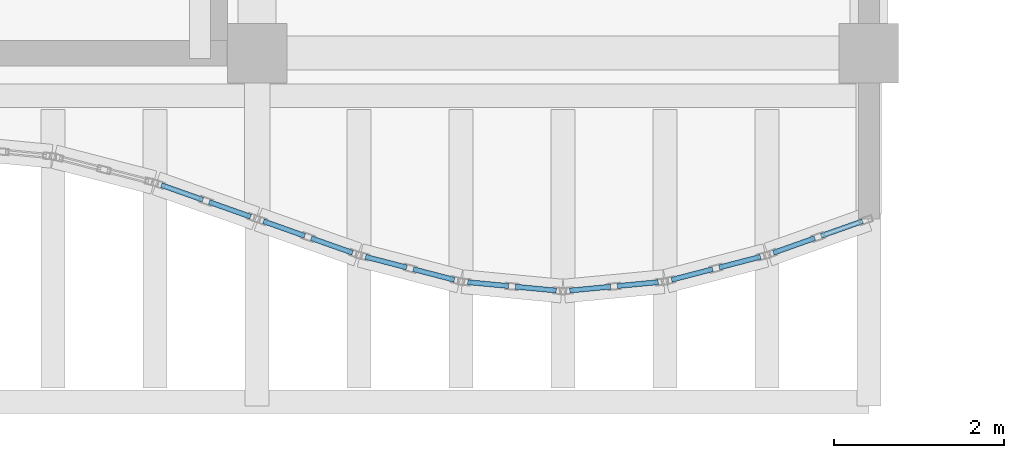
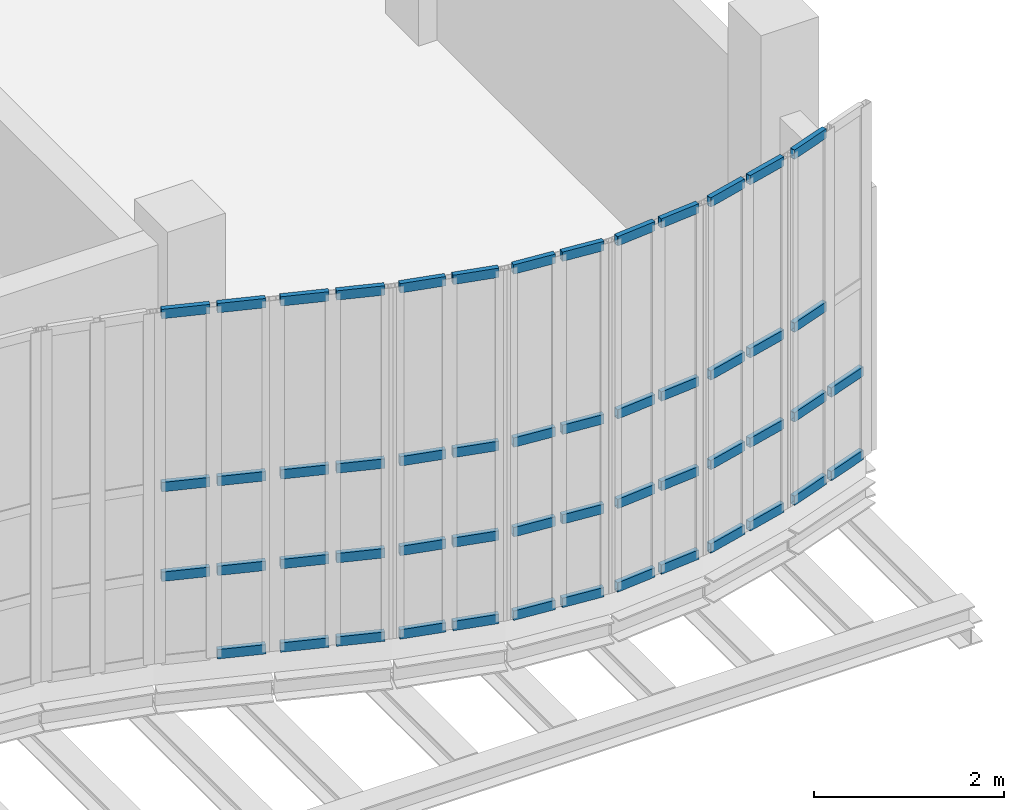
# One storey, part 63 of 108: 53 members, 7 elements without a shape of their own.
"""IFC4 building model written with IfcOpenShell, lengths in metres."""

import ifcopenshell
import ifcopenshell.guid

model = None  # the IFC model being written
_history = None  # IfcOwnerHistory: only IFC2X3 demands one
_inside = {}  # id of a spatial element -> (the spatial element, [elements in it])
_under = {}  # id of a project, library or spatial element -> (it, [spatial elements below it])
_declared = {}  # id of a project -> (the project, [libraries it declares])
_typed = {}  # id of a type object -> (the type object, [elements of that type])
_made_of = {}  # id of a material, layer set ... -> (it, [elements and type objects made of it])


def new_model(schema):
    """Start an empty IFC model of exactly this schema.

    Asked for "IFC4X3", IfcOpenShell would pick the latest addendum, in which some entities
    have other attributes; the version numbers below select the first issue.
    IFC2X3 requires an IfcOwnerHistory on every rooted entity: one is made here for all.
    """
    global model, _history
    if schema == "IFC4X3":
        model = ifcopenshell.file(schema_version=(4, 3, 0, 0))
    else:
        model = ifcopenshell.file(schema=schema)
    _inside.clear()
    _under.clear()
    _declared.clear()
    _typed.clear()
    _made_of.clear()
    _history = None
    if model.schema == "IFC2X3":
        org = make("IfcOrganization", Name="unknown")
        user = make(
            "IfcPersonAndOrganization",
            ThePerson=make("IfcPerson", FamilyName="unknown"),
            TheOrganization=org,
        )
        app = make(
            "IfcApplication",
            ApplicationDeveloper=org,
            Version="unknown",
            ApplicationFullName="unknown",
            ApplicationIdentifier="unknown",
        )
        _history = make(
            "IfcOwnerHistory",
            OwningUser=user,
            OwningApplication=app,
            ChangeAction="ADDED",
            CreationDate=0,
        )
    return model


def make(cls, **values):
    """One entity of the class cls with the attributes given. An attribute that is None is left unset."""
    return model.create_entity(
        cls, **{name: value for name, value in values.items() if value is not None}
    )


def rooted(cls, **values):
    """An entity with a GlobalId (a new one), such as an element, a storey or a relation."""
    return make(cls, GlobalId=ifcopenshell.guid.new(), OwnerHistory=_history, **values)


def si_unit(unit_type, name, prefix=None):
    """IfcSIUnit, for example si_unit("LENGTHUNIT", "METRE", prefix="MILLI")."""
    return make("IfcSIUnit", UnitType=unit_type, Prefix=prefix, Name=name)


def assignment(units):
    """IfcUnitAssignment: the units of a project."""
    return None if units is None else make("IfcUnitAssignment", Units=units)


def point(xyz):
    """IfcCartesianPoint."""
    return None if xyz is None else make("IfcCartesianPoint", Coordinates=xyz)


def direction(xyz):
    """IfcDirection."""
    return None if xyz is None else make("IfcDirection", DirectionRatios=xyz)


def frame(location, z_axis=None, x_axis=None):
    """IfcAxis2Placement3D, a coordinate frame: its origin and axes. An axis left out is left unset."""
    return make(
        "IfcAxis2Placement3D",
        Location=point(location),
        Axis=direction(z_axis),
        RefDirection=direction(x_axis),
    )


def frame_2d(location, x_axis=None):
    """IfcAxis2Placement2D, a coordinate frame in the plane: its origin and x axis."""
    return make(
        "IfcAxis2Placement2D", Location=point(location), RefDirection=direction(x_axis)
    )


def origin():
    """The frame at (0, 0, 0) with its axes left unset."""
    return frame((0.0, 0.0, 0.0))


def origin_2d():
    """The frame at (0, 0) in the plane with its x axis left unset."""
    return frame_2d((0.0, 0.0))


def place(relative_to, where):
    """IfcLocalPlacement: puts the frame where relative to a parent placement (None: the world)."""
    return make(
        "IfcLocalPlacement", PlacementRelTo=relative_to, RelativePlacement=where
    )


def context(
    kind, dimensions, precision=None, world=None, true_north=None, identifier=None
):
    """IfcGeometricRepresentationContext, for example the 3D "Model" context."""
    return make(
        "IfcGeometricRepresentationContext",
        ContextIdentifier=identifier,
        ContextType=kind,
        CoordinateSpaceDimension=dimensions,
        Precision=precision,
        WorldCoordinateSystem=world,
        TrueNorth=true_north,
    )


def subcontext(parent, identifier, kind, view, scale=None):
    """IfcGeometricRepresentationSubContext, for example "Body" below "Model"."""
    return make(
        "IfcGeometricRepresentationSubContext",
        ContextIdentifier=identifier,
        ContextType=kind,
        ParentContext=parent,
        TargetScale=scale,
        TargetView=view,
    )


def project(units=None, contexts=None):
    """IfcProject with its units and contexts."""
    return rooted(
        "IfcProject",
        Name="project",
        RepresentationContexts=contexts,
        UnitsInContext=assignment(units),
    )


def spatial(cls, under=None, at=None, **own):
    """A site, building, storey or space (cls), placed at a placement, below another one or the project."""
    s = rooted(cls, ObjectPlacement=at, **own)
    if under is not None:
        _under.setdefault(under.id(), (under, []))[1].append(s)
    return s


def profile(cls, at=None, kind="AREA", **sizes):
    """A parametric profile (cls). Its sizes go by their IFC names, for example OverallWidth=200.0."""
    return make(cls, ProfileType=kind, Position=at, **sizes)


def hollow_rectangle(**sizes):
    """IfcRectangleHollowProfileDef."""
    return profile("IfcRectangleHollowProfileDef", **sizes)


def extrude(swept, where, along, depth):
    """IfcExtrudedAreaSolid: the profile swept, set in the frame where, extruded along a direction by depth."""
    return make(
        "IfcExtrudedAreaSolid",
        SweptArea=swept,
        Position=where,
        ExtrudedDirection=direction(along),
        Depth=depth,
    )


def shape(context_of_items, identifier, shape_type, items):
    """IfcShapeRepresentation: the items that make up one representation, for example the "Body"."""
    return make(
        "IfcShapeRepresentation",
        ContextOfItems=context_of_items,
        RepresentationIdentifier=identifier,
        RepresentationType=shape_type,
        Items=items,
    )


def material(Name=None, Category=None):
    """IfcMaterial."""
    return make("IfcMaterial", Name=Name, Category=Category)


def layer(
    of_material, thickness, ventilated=None, Name=None, Category=None, Priority=None
):
    """IfcMaterialLayer: one layer of a wall or slab, of a material (None: an air gap)."""
    return make(
        "IfcMaterialLayer",
        Material=of_material,
        LayerThickness=thickness,
        IsVentilated=ventilated,
        Name=Name,
        Category=Category,
        Priority=Priority,
    )


def layer_set(layers, Name=None):
    """IfcMaterialLayerSet."""
    return make("IfcMaterialLayerSet", MaterialLayers=layers, LayerSetName=Name)


def material_profile(
    of_material, cross_section, Name=None, Category=None, Priority=None
):
    """IfcMaterialProfile: a cross section and its material."""
    return make(
        "IfcMaterialProfile",
        Name=Name,
        Material=of_material,
        Profile=cross_section,
        Priority=Priority,
        Category=Category,
    )


def profile_set(profiles, Name=None, composite=None):
    """IfcMaterialProfileSet."""
    return make(
        "IfcMaterialProfileSet",
        Name=Name,
        MaterialProfiles=profiles,
        CompositeProfile=composite,
    )


def made_of(thing, what):
    """Note that an element or type object is made of a material, layer set ...; save() writes the relation."""
    if what is not None:
        _made_of.setdefault(what.id(), (what, []))[1].append(thing)
    return thing


def type_object(cls, material=None, **own):
    """A type object (cls), such as IfcWallType, which elements share."""
    return made_of(rooted(cls, **own), material)


def element(
    cls,
    number,
    at=None,
    inside=None,
    cuts=None,
    type_object=None,
    material=None,
    context=None,
    identifier="Body",
    shape_type=None,
    held_by="IfcProductDefinitionShape",
    body=None,
    shapes=None,
    **own,
):
    """One element of the class cls, such as IfcWall. Its Tag is "e" and its number.

    at: its placement. inside: the storey or other place that contains it. cuts: it is an
    opening in that element (IfcRelVoidsElement). A single representation is given by context,
    identifier, shape_type and body (its items); several are given by shapes. held_by: the class
    of the entity that holds the representations. save() writes the other relations.
    """
    e = rooted(cls, Tag="e%d" % number, ObjectPlacement=at, **own)
    if body is not None:
        shapes = [shape(context, identifier, shape_type, body)]
    if shapes is not None:
        e.Representation = make(held_by, Representations=shapes)
    if inside is not None:
        _inside.setdefault(inside.id(), (inside, []))[1].append(e)
    if cuts is not None:
        rooted(
            "IfcRelVoidsElement", RelatingBuildingElement=cuts, RelatedOpeningElement=e
        )
    if type_object is not None:
        _typed.setdefault(type_object.id(), (type_object, []))[1].append(e)
    return made_of(e, material)


def aggregate(whole, parts):
    """IfcRelAggregates: a whole, such as a stair, and the parts it consists of."""
    return rooted("IfcRelAggregates", RelatingObject=whole, RelatedObjects=parts)


def save(model, path):
    """Write the relations noted so far, then the file.

    IfcRelAggregates (storeys below a building ...), IfcRelContainedInSpatialStructure (elements
    in a storey), IfcRelDefinesByType, IfcRelAssociatesMaterial and IfcRelDeclares: one each for
    every whole, place, type object, material and project.
    """
    for whole, parts in _under.values():
        aggregate(whole, parts)
    for where, things in _inside.values():
        rooted(
            "IfcRelContainedInSpatialStructure",
            RelatedElements=things,
            RelatingStructure=where,
        )
    for kind, things in _typed.values():
        rooted("IfcRelDefinesByType", RelatedObjects=things, RelatingType=kind)
    for what, things in _made_of.values():
        rooted("IfcRelAssociatesMaterial", RelatedObjects=things, RelatingMaterial=what)
    for by, libraries in _declared.values():
        rooted("IfcRelDeclares", RelatingContext=by, RelatedDefinitions=libraries)
    model.write(path)


model = new_model("IFC4")

# Units and contexts
model_context = context("Model", 3, precision=1e-05, world=origin(), true_north=direction((0.0, 1.0)))
body_context = subcontext(model_context, "Body", "Model", "MODEL_VIEW")
ifc_project = project(units=[si_unit("LENGTHUNIT", "METRE"), si_unit("AREAUNIT", "SQUARE_METRE"), si_unit("VOLUMEUNIT", "CUBIC_METRE"), si_unit("PLANEANGLEUNIT", "RADIAN"), si_unit("MASSUNIT", "GRAM", prefix="KILO"), si_unit("THERMODYNAMICTEMPERATUREUNIT", "KELVIN"), si_unit("POWERUNIT", "WATT")], contexts=[model_context])

# Site, building, storey
site_placement = place(None, origin())
site = spatial("IfcSite", under=ifc_project, at=site_placement, CompositionType="ELEMENT")
building_placement = place(site_placement, origin())
building = spatial("IfcBuilding", under=site, at=building_placement, Name="Kaldorven Railside Theatre", CompositionType="ELEMENT")
storey_placement = place(building_placement, frame((0.0, 0.0, 5.39990234375)))
storey = spatial("IfcBuildingStorey", under=building, at=storey_placement, Name="L01", CompositionType="ELEMENT", Elevation=5.39990234375)

# Curtain wall, members
ifc_material_1 = material(Name="Low-E laminated solar-control glass", Category="glass")
ifc_layer_1 = layer(ifc_material_1, 0.159912109375, Name="Low-E laminated solar-control glass")
ifc_layer_set_1 = layer_set([ifc_layer_1], Name="Low-E laminated solar-control glass")
curtain_wall_type_1 = type_object("IfcCurtainWallType", Name="CWT-01", PredefinedType="USERDEFINED", material=ifc_layer_set_1)
curtain_wall_1_placement = place(storey_placement, origin())
curtain_wall_1 = element("IfcCurtainWall", 1, at=curtain_wall_1_placement, inside=storey, type_object=curtain_wall_type_1, Name="Sinusoidal Fluted Curtain Wall CW-L01-S66", ObjectType="FLUTED GLAZING", PredefinedType="USERDEFINED")
ifc_material_2 = material(Name="Anodised bronze aluminium", Category="aluminium")
ifc_material_profile = material_profile(ifc_material_2, hollow_rectangle(XDim=0.06005859375, YDim=0.1201171875, WallThickness=0.0048828125, at=origin_2d()), Name="RHS 120x60x5")
ifc_profile_set = profile_set([ifc_material_profile], Name="Anodised bronze aluminium")
member_type = type_object("IfcMemberType", Name="CWT-120", PredefinedType="USERDEFINED", material=ifc_profile_set)
member_1_placement = place(storey_placement, frame((114.87548828125, 17.648193359375, 1.10009765625), z_axis=(0.942658214948, -0.333759628763, 0.0), x_axis=(0.333759628763, 0.942658214948, 0.0)))
member_1 = element("IfcMember", 2, at=member_1_placement, type_object=member_type, Name="CW-L01-S66 transom 1.2", ObjectType="TRANSOM", PredefinedType="USERDEFINED", context=body_context, shape_type="SweptSolid", body=[
    extrude(hollow_rectangle(XDim=0.06005859375, YDim=0.1201171875, WallThickness=0.0048828125, at=origin_2d()), origin(), (0.0, 0.0, 1.0), 0.516357421875),
])
member_2_placement = place(storey_placement, frame((114.87548828125, 17.648193359375, 2.25), z_axis=(0.942658214948, -0.333759628763, 0.0), x_axis=(0.333759628763, 0.942658214948, 0.0)))
member_2 = element("IfcMember", 3, at=member_2_placement, type_object=member_type, Name="CW-L01-S66 transom 1.3", ObjectType="TRANSOM", PredefinedType="USERDEFINED", context=body_context, shape_type="SweptSolid", body=[
    extrude(hollow_rectangle(XDim=0.06005859375, YDim=0.1201171875, WallThickness=0.0048828125, at=origin_2d()), origin(), (0.0, 0.0, 1.0), 0.516357421875),
])
member_3_placement = place(storey_placement, frame((114.87548828125, 17.648193359375, 4.47021484375), z_axis=(0.942658214948, -0.333759628763, 0.0), x_axis=(0.333759628763, 0.942658214948, 0.0)))
member_3 = element("IfcMember", 4, at=member_3_placement, type_object=member_type, Name="CW-L01-S66 transom 1.4", ObjectType="TRANSOM", PredefinedType="USERDEFINED", context=body_context, shape_type="SweptSolid", body=[
    extrude(hollow_rectangle(XDim=0.06005859375, YDim=0.1201171875, WallThickness=0.0048828125, at=origin_2d()), origin(), (0.0, 0.0, 1.0), 0.516357421875),
])
member_4_placement = place(storey_placement, frame((115.437744140625, 17.44921875, 0.030029296875), z_axis=(0.942509408488, -0.334179614745, 0.0), x_axis=(0.334179614745, 0.942509408488, 0.0)))
member_4 = element("IfcMember", 5, at=member_4_placement, type_object=member_type, Name="CW-L01-S66 transom 2.1", ObjectType="TRANSOM", PredefinedType="USERDEFINED", context=body_context, shape_type="SweptSolid", body=[
    extrude(hollow_rectangle(XDim=0.06005859375, YDim=0.1201171875, WallThickness=0.0048828125, at=origin_2d()), origin(), (0.0, 0.0, 1.0), 0.5166015625),
])
member_5_placement = place(storey_placement, frame((115.437744140625, 17.44921875, 1.10009765625), z_axis=(0.942509408488, -0.334179614745, 0.0), x_axis=(0.334179614745, 0.942509408488, 0.0)))
member_5 = element("IfcMember", 6, at=member_5_placement, type_object=member_type, Name="CW-L01-S66 transom 2.2", ObjectType="TRANSOM", PredefinedType="USERDEFINED", context=body_context, shape_type="SweptSolid", body=[
    extrude(hollow_rectangle(XDim=0.06005859375, YDim=0.1201171875, WallThickness=0.0048828125, at=origin_2d()), origin(), (0.0, 0.0, 1.0), 0.5166015625),
])
member_6_placement = place(storey_placement, frame((115.437744140625, 17.44921875, 2.25), z_axis=(0.942509408488, -0.334179614745, 0.0), x_axis=(0.334179614745, 0.942509408488, 0.0)))
member_6 = element("IfcMember", 7, at=member_6_placement, type_object=member_type, Name="CW-L01-S66 transom 2.3", ObjectType="TRANSOM", PredefinedType="USERDEFINED", context=body_context, shape_type="SweptSolid", body=[
    extrude(hollow_rectangle(XDim=0.06005859375, YDim=0.1201171875, WallThickness=0.0048828125, at=origin_2d()), origin(), (0.0, 0.0, 1.0), 0.5166015625),
])
member_7_placement = place(storey_placement, frame((115.437744140625, 17.44921875, 4.47021484375), z_axis=(0.942509408488, -0.334179614745, 0.0), x_axis=(0.334179614745, 0.942509408488, 0.0)))
member_7 = element("IfcMember", 8, at=member_7_placement, type_object=member_type, Name="CW-L01-S66 transom 2.4", ObjectType="TRANSOM", PredefinedType="USERDEFINED", context=body_context, shape_type="SweptSolid", body=[
    extrude(hollow_rectangle(XDim=0.06005859375, YDim=0.1201171875, WallThickness=0.0048828125, at=origin_2d()), origin(), (0.0, 0.0, 1.0), 0.5166015625),
])
aggregate(curtain_wall_1, [member_1, member_2, member_3, member_4, member_5, member_6, member_7])

curtain_wall_2_placement = place(storey_placement, origin())
curtain_wall_2 = element("IfcCurtainWall", 9, at=curtain_wall_2_placement, inside=storey, type_object=curtain_wall_type_1, Name="Sinusoidal Fluted Curtain Wall CW-L01-S67", ObjectType="FLUTED GLAZING", PredefinedType="USERDEFINED")
member_8_placement = place(storey_placement, frame((116.075439453125, 17.223388671875, 0.030029296875), z_axis=(0.942509408488, -0.334179614745, 0.0), x_axis=(0.334179614745, 0.942509408488, 0.0)))
member_8 = element("IfcMember", 10, at=member_8_placement, type_object=member_type, Name="CW-L01-S67 transom 1.1", ObjectType="TRANSOM", PredefinedType="USERDEFINED", context=body_context, shape_type="SweptSolid", body=[
    extrude(hollow_rectangle(XDim=0.06005859375, YDim=0.1201171875, WallThickness=0.0048828125, at=origin_2d()), origin(), (0.0, 0.0, 1.0), 0.5166015625),
])
member_9_placement = place(storey_placement, frame((116.075439453125, 17.223388671875, 1.10009765625), z_axis=(0.942509408488, -0.334179614745, 0.0), x_axis=(0.334179614745, 0.942509408488, 0.0)))
member_9 = element("IfcMember", 11, at=member_9_placement, type_object=member_type, Name="CW-L01-S67 transom 1.2", ObjectType="TRANSOM", PredefinedType="USERDEFINED", context=body_context, shape_type="SweptSolid", body=[
    extrude(hollow_rectangle(XDim=0.06005859375, YDim=0.1201171875, WallThickness=0.0048828125, at=origin_2d()), origin(), (0.0, 0.0, 1.0), 0.5166015625),
])
member_10_placement = place(storey_placement, frame((116.075439453125, 17.223388671875, 2.25), z_axis=(0.942509408488, -0.334179614745, 0.0), x_axis=(0.334179614745, 0.942509408488, 0.0)))
member_10 = element("IfcMember", 12, at=member_10_placement, type_object=member_type, Name="CW-L01-S67 transom 1.3", ObjectType="TRANSOM", PredefinedType="USERDEFINED", context=body_context, shape_type="SweptSolid", body=[
    extrude(hollow_rectangle(XDim=0.06005859375, YDim=0.1201171875, WallThickness=0.0048828125, at=origin_2d()), origin(), (0.0, 0.0, 1.0), 0.5166015625),
])
member_11_placement = place(storey_placement, frame((116.075439453125, 17.223388671875, 4.47021484375), z_axis=(0.942509408488, -0.334179614745, 0.0), x_axis=(0.334179614745, 0.942509408488, 0.0)))
member_11 = element("IfcMember", 13, at=member_11_placement, type_object=member_type, Name="CW-L01-S67 transom 1.4", ObjectType="TRANSOM", PredefinedType="USERDEFINED", context=body_context, shape_type="SweptSolid", body=[
    extrude(hollow_rectangle(XDim=0.06005859375, YDim=0.1201171875, WallThickness=0.0048828125, at=origin_2d()), origin(), (0.0, 0.0, 1.0), 0.5166015625),
])
member_12_placement = place(storey_placement, frame((116.6376953125, 17.024169921875, 0.030029296875), z_axis=(0.942658214948, -0.333759628763, 0.0), x_axis=(0.333759628763, 0.942658214948, 0.0)))
member_12 = element("IfcMember", 14, at=member_12_placement, type_object=member_type, Name="CW-L01-S67 transom 2.1", ObjectType="TRANSOM", PredefinedType="USERDEFINED", context=body_context, shape_type="SweptSolid", body=[
    extrude(hollow_rectangle(XDim=0.06005859375, YDim=0.1201171875, WallThickness=0.0048828125, at=origin_2d()), origin(), (0.0, 0.0, 1.0), 0.516357421875),
])
member_13_placement = place(storey_placement, frame((116.6376953125, 17.024169921875, 1.10009765625), z_axis=(0.942658214948, -0.333759628763, 0.0), x_axis=(0.333759628763, 0.942658214948, 0.0)))
member_13 = element("IfcMember", 15, at=member_13_placement, type_object=member_type, Name="CW-L01-S67 transom 2.2", ObjectType="TRANSOM", PredefinedType="USERDEFINED", context=body_context, shape_type="SweptSolid", body=[
    extrude(hollow_rectangle(XDim=0.06005859375, YDim=0.1201171875, WallThickness=0.0048828125, at=origin_2d()), origin(), (0.0, 0.0, 1.0), 0.516357421875),
])
member_14_placement = place(storey_placement, frame((116.6376953125, 17.024169921875, 2.25), z_axis=(0.942658214948, -0.333759628763, 0.0), x_axis=(0.333759628763, 0.942658214948, 0.0)))
member_14 = element("IfcMember", 16, at=member_14_placement, type_object=member_type, Name="CW-L01-S67 transom 2.3", ObjectType="TRANSOM", PredefinedType="USERDEFINED", context=body_context, shape_type="SweptSolid", body=[
    extrude(hollow_rectangle(XDim=0.06005859375, YDim=0.1201171875, WallThickness=0.0048828125, at=origin_2d()), origin(), (0.0, 0.0, 1.0), 0.516357421875),
])
member_15_placement = place(storey_placement, frame((116.6376953125, 17.024169921875, 4.47021484375), z_axis=(0.942658214948, -0.333759628763, 0.0), x_axis=(0.333759628763, 0.942658214948, 0.0)))
member_15 = element("IfcMember", 17, at=member_15_placement, type_object=member_type, Name="CW-L01-S67 transom 2.4", ObjectType="TRANSOM", PredefinedType="USERDEFINED", context=body_context, shape_type="SweptSolid", body=[
    extrude(hollow_rectangle(XDim=0.06005859375, YDim=0.1201171875, WallThickness=0.0048828125, at=origin_2d()), origin(), (0.0, 0.0, 1.0), 0.516357421875),
])
aggregate(curtain_wall_2, [member_8, member_9, member_10, member_11, member_12, member_13, member_14, member_15])

ifc_layer_2 = layer(ifc_material_1, 0.159912109375, Name="Low-E laminated solar-control glass")
ifc_layer_set_2 = layer_set([ifc_layer_2], Name="Low-E laminated solar-control glass")
curtain_wall_type_2 = type_object("IfcCurtainWallType", Name="CWT-02", PredefinedType="USERDEFINED", material=ifc_layer_set_2)
curtain_wall_3_placement = place(storey_placement, origin())
curtain_wall_3 = element("IfcCurtainWall", 18, at=curtain_wall_3_placement, inside=storey, type_object=curtain_wall_type_2, Name="Sinusoidal Fluted Curtain Wall CW-L01-S68", ObjectType="FLUTED GLAZING", PredefinedType="USERDEFINED")
member_16_placement = place(storey_placement, frame((117.27734375, 16.804931640625, 0.030029296875), z_axis=(0.967979318949, -0.251029954561, 0.0), x_axis=(0.251029954561, 0.967979318949, 0.0)))
member_16 = element("IfcMember", 19, at=member_16_placement, type_object=member_type, Name="CW-L01-S68 transom 1.1", ObjectType="TRANSOM", PredefinedType="USERDEFINED", context=body_context, shape_type="SweptSolid", body=[
    extrude(hollow_rectangle(XDim=0.06005859375, YDim=0.1201171875, WallThickness=0.0048828125, at=origin_2d()), origin(), (0.0, 0.0, 1.0), 0.5),
])
member_17_placement = place(storey_placement, frame((117.27734375, 16.804931640625, 1.10009765625), z_axis=(0.967979318949, -0.251029954561, 0.0), x_axis=(0.251029954561, 0.967979318949, 0.0)))
member_17 = element("IfcMember", 20, at=member_17_placement, type_object=member_type, Name="CW-L01-S68 transom 1.2", ObjectType="TRANSOM", PredefinedType="USERDEFINED", context=body_context, shape_type="SweptSolid", body=[
    extrude(hollow_rectangle(XDim=0.06005859375, YDim=0.1201171875, WallThickness=0.0048828125, at=origin_2d()), origin(), (0.0, 0.0, 1.0), 0.5),
])
member_18_placement = place(storey_placement, frame((117.27734375, 16.804931640625, 2.25), z_axis=(0.967979318949, -0.251029954561, 0.0), x_axis=(0.251029954561, 0.967979318949, 0.0)))
member_18 = element("IfcMember", 21, at=member_18_placement, type_object=member_type, Name="CW-L01-S68 transom 1.3", ObjectType="TRANSOM", PredefinedType="USERDEFINED", context=body_context, shape_type="SweptSolid", body=[
    extrude(hollow_rectangle(XDim=0.06005859375, YDim=0.1201171875, WallThickness=0.0048828125, at=origin_2d()), origin(), (0.0, 0.0, 1.0), 0.5),
])
member_19_placement = place(storey_placement, frame((117.27734375, 16.804931640625, 4.47021484375), z_axis=(0.967979318949, -0.251029954561, 0.0), x_axis=(0.251029954561, 0.967979318949, 0.0)))
member_19 = element("IfcMember", 22, at=member_19_placement, type_object=member_type, Name="CW-L01-S68 transom 1.4", ObjectType="TRANSOM", PredefinedType="USERDEFINED", context=body_context, shape_type="SweptSolid", body=[
    extrude(hollow_rectangle(XDim=0.06005859375, YDim=0.1201171875, WallThickness=0.0048828125, at=origin_2d()), origin(), (0.0, 0.0, 1.0), 0.5),
])
member_20_placement = place(storey_placement, frame((117.838623046875, 16.659423828125, 0.030029296875), z_axis=(0.967979318949, -0.251029954561, 0.0), x_axis=(0.251029954561, 0.967979318949, 0.0)))
member_20 = element("IfcMember", 23, at=member_20_placement, type_object=member_type, Name="CW-L01-S68 transom 2.1", ObjectType="TRANSOM", PredefinedType="USERDEFINED", context=body_context, shape_type="SweptSolid", body=[
    extrude(hollow_rectangle(XDim=0.06005859375, YDim=0.1201171875, WallThickness=0.0048828125, at=origin_2d()), origin(), (0.0, 0.0, 1.0), 0.5),
])
member_21_placement = place(storey_placement, frame((117.838623046875, 16.659423828125, 1.10009765625), z_axis=(0.967979318949, -0.251029954561, 0.0), x_axis=(0.251029954561, 0.967979318949, 0.0)))
member_21 = element("IfcMember", 24, at=member_21_placement, type_object=member_type, Name="CW-L01-S68 transom 2.2", ObjectType="TRANSOM", PredefinedType="USERDEFINED", context=body_context, shape_type="SweptSolid", body=[
    extrude(hollow_rectangle(XDim=0.06005859375, YDim=0.1201171875, WallThickness=0.0048828125, at=origin_2d()), origin(), (0.0, 0.0, 1.0), 0.5),
])
member_22_placement = place(storey_placement, frame((117.838623046875, 16.659423828125, 2.25), z_axis=(0.967979318949, -0.251029954561, 0.0), x_axis=(0.251029954561, 0.967979318949, 0.0)))
member_22 = element("IfcMember", 25, at=member_22_placement, type_object=member_type, Name="CW-L01-S68 transom 2.3", ObjectType="TRANSOM", PredefinedType="USERDEFINED", context=body_context, shape_type="SweptSolid", body=[
    extrude(hollow_rectangle(XDim=0.06005859375, YDim=0.1201171875, WallThickness=0.0048828125, at=origin_2d()), origin(), (0.0, 0.0, 1.0), 0.5),
])
member_23_placement = place(storey_placement, frame((117.838623046875, 16.659423828125, 4.47021484375), z_axis=(0.967979318949, -0.251029954561, 0.0), x_axis=(0.251029954561, 0.967979318949, 0.0)))
member_23 = element("IfcMember", 26, at=member_23_placement, type_object=member_type, Name="CW-L01-S68 transom 2.4", ObjectType="TRANSOM", PredefinedType="USERDEFINED", context=body_context, shape_type="SweptSolid", body=[
    extrude(hollow_rectangle(XDim=0.06005859375, YDim=0.1201171875, WallThickness=0.0048828125, at=origin_2d()), origin(), (0.0, 0.0, 1.0), 0.5),
])
aggregate(curtain_wall_3, [member_16, member_17, member_18, member_19, member_20, member_21, member_22, member_23])

ifc_layer_3 = layer(ifc_material_1, 0.159912109375, Name="Low-E laminated solar-control glass")
ifc_layer_set_3 = layer_set([ifc_layer_3], Name="Low-E laminated solar-control glass")
curtain_wall_type_3 = type_object("IfcCurtainWallType", Name="CWT-03", PredefinedType="USERDEFINED", material=ifc_layer_set_3)
curtain_wall_4_placement = place(storey_placement, origin())
curtain_wall_4 = element("IfcCurtainWall", 27, at=curtain_wall_4_placement, inside=storey, type_object=curtain_wall_type_3, Name="Sinusoidal Fluted Curtain Wall CW-L01-S69", ObjectType="FLUTED GLAZING", PredefinedType="USERDEFINED")
member_24_placement = place(storey_placement, frame((118.479736328125, 16.50634765625, 0.030029296875), z_axis=(0.995515910823, -0.094594245591, 0.0), x_axis=(0.094594245591, 0.995515910823, 0.0)))
member_24 = element("IfcMember", 28, at=member_24_placement, type_object=member_type, Name="CW-L01-S69 transom 1.1", ObjectType="TRANSOM", PredefinedType="USERDEFINED", context=body_context, shape_type="SweptSolid", body=[
    extrude(hollow_rectangle(XDim=0.06005859375, YDim=0.1201171875, WallThickness=0.0048828125, at=origin_2d()), origin(), (0.0, 0.0, 1.0), 0.482666015625),
])
member_25_placement = place(storey_placement, frame((118.479736328125, 16.50634765625, 1.10009765625), z_axis=(0.995515910823, -0.094594245591, 0.0), x_axis=(0.094594245591, 0.995515910823, 0.0)))
member_25 = element("IfcMember", 29, at=member_25_placement, type_object=member_type, Name="CW-L01-S69 transom 1.2", ObjectType="TRANSOM", PredefinedType="USERDEFINED", context=body_context, shape_type="SweptSolid", body=[
    extrude(hollow_rectangle(XDim=0.06005859375, YDim=0.1201171875, WallThickness=0.0048828125, at=origin_2d()), origin(), (0.0, 0.0, 1.0), 0.482666015625),
])
member_26_placement = place(storey_placement, frame((118.479736328125, 16.50634765625, 2.25), z_axis=(0.995515910823, -0.094594245591, 0.0), x_axis=(0.094594245591, 0.995515910823, 0.0)))
member_26 = element("IfcMember", 30, at=member_26_placement, type_object=member_type, Name="CW-L01-S69 transom 1.3", ObjectType="TRANSOM", PredefinedType="USERDEFINED", context=body_context, shape_type="SweptSolid", body=[
    extrude(hollow_rectangle(XDim=0.06005859375, YDim=0.1201171875, WallThickness=0.0048828125, at=origin_2d()), origin(), (0.0, 0.0, 1.0), 0.482666015625),
])
member_27_placement = place(storey_placement, frame((118.479736328125, 16.50634765625, 4.47021484375), z_axis=(0.995515910823, -0.094594245591, 0.0), x_axis=(0.094594245591, 0.995515910823, 0.0)))
member_27 = element("IfcMember", 31, at=member_27_placement, type_object=member_type, Name="CW-L01-S69 transom 1.4", ObjectType="TRANSOM", PredefinedType="USERDEFINED", context=body_context, shape_type="SweptSolid", body=[
    extrude(hollow_rectangle(XDim=0.06005859375, YDim=0.1201171875, WallThickness=0.0048828125, at=origin_2d()), origin(), (0.0, 0.0, 1.0), 0.482666015625),
])
member_28_placement = place(storey_placement, frame((119.039794921875, 16.453125, 0.030029296875), z_axis=(0.995515910823, -0.094594245591, 0.0), x_axis=(0.094594245591, 0.995515910823, 0.0)))
member_28 = element("IfcMember", 32, at=member_28_placement, type_object=member_type, Name="CW-L01-S69 transom 2.1", ObjectType="TRANSOM", PredefinedType="USERDEFINED", context=body_context, shape_type="SweptSolid", body=[
    extrude(hollow_rectangle(XDim=0.06005859375, YDim=0.1201171875, WallThickness=0.0048828125, at=origin_2d()), origin(), (0.0, 0.0, 1.0), 0.482666015625),
])
member_29_placement = place(storey_placement, frame((119.039794921875, 16.453125, 1.10009765625), z_axis=(0.995515910823, -0.094594245591, 0.0), x_axis=(0.094594245591, 0.995515910823, 0.0)))
member_29 = element("IfcMember", 33, at=member_29_placement, type_object=member_type, Name="CW-L01-S69 transom 2.2", ObjectType="TRANSOM", PredefinedType="USERDEFINED", context=body_context, shape_type="SweptSolid", body=[
    extrude(hollow_rectangle(XDim=0.06005859375, YDim=0.1201171875, WallThickness=0.0048828125, at=origin_2d()), origin(), (0.0, 0.0, 1.0), 0.482666015625),
])
member_30_placement = place(storey_placement, frame((119.039794921875, 16.453125, 2.25), z_axis=(0.995515910823, -0.094594245591, 0.0), x_axis=(0.094594245591, 0.995515910823, 0.0)))
member_30 = element("IfcMember", 34, at=member_30_placement, type_object=member_type, Name="CW-L01-S69 transom 2.3", ObjectType="TRANSOM", PredefinedType="USERDEFINED", context=body_context, shape_type="SweptSolid", body=[
    extrude(hollow_rectangle(XDim=0.06005859375, YDim=0.1201171875, WallThickness=0.0048828125, at=origin_2d()), origin(), (0.0, 0.0, 1.0), 0.482666015625),
])
member_31_placement = place(storey_placement, frame((119.039794921875, 16.453125, 4.47021484375), z_axis=(0.995515910823, -0.094594245591, 0.0), x_axis=(0.094594245591, 0.995515910823, 0.0)))
member_31 = element("IfcMember", 35, at=member_31_placement, type_object=member_type, Name="CW-L01-S69 transom 2.4", ObjectType="TRANSOM", PredefinedType="USERDEFINED", context=body_context, shape_type="SweptSolid", body=[
    extrude(hollow_rectangle(XDim=0.06005859375, YDim=0.1201171875, WallThickness=0.0048828125, at=origin_2d()), origin(), (0.0, 0.0, 1.0), 0.482666015625),
])
aggregate(curtain_wall_4, [member_24, member_25, member_26, member_27, member_28, member_29, member_30, member_31])

curtain_wall_5_placement = place(storey_placement, origin())
curtain_wall_5 = element("IfcCurtainWall", 36, at=curtain_wall_5_placement, inside=storey, type_object=curtain_wall_type_3, Name="Sinusoidal Fluted Curtain Wall CW-L01-S70", ObjectType="FLUTED GLAZING", PredefinedType="USERDEFINED")
member_32_placement = place(storey_placement, frame((119.6796875, 16.407470703125, 0.030029296875), z_axis=(0.995515910823, 0.094594245591, 0.0), x_axis=(-0.094594245591, 0.995515910823, 0.0)))
member_32 = element("IfcMember", 37, at=member_32_placement, type_object=member_type, Name="CW-L01-S70 transom 1.1", ObjectType="TRANSOM", PredefinedType="USERDEFINED", context=body_context, shape_type="SweptSolid", body=[
    extrude(hollow_rectangle(XDim=0.06005859375, YDim=0.1201171875, WallThickness=0.0048828125, at=origin_2d()), origin(), (0.0, 0.0, 1.0), 0.482666015625),
])
member_33_placement = place(storey_placement, frame((119.6796875, 16.407470703125, 1.10009765625), z_axis=(0.995515910823, 0.094594245591, 0.0), x_axis=(-0.094594245591, 0.995515910823, 0.0)))
member_33 = element("IfcMember", 38, at=member_33_placement, type_object=member_type, Name="CW-L01-S70 transom 1.2", ObjectType="TRANSOM", PredefinedType="USERDEFINED", context=body_context, shape_type="SweptSolid", body=[
    extrude(hollow_rectangle(XDim=0.06005859375, YDim=0.1201171875, WallThickness=0.0048828125, at=origin_2d()), origin(), (0.0, 0.0, 1.0), 0.482666015625),
])
member_34_placement = place(storey_placement, frame((119.6796875, 16.407470703125, 2.25), z_axis=(0.995515910823, 0.094594245591, 0.0), x_axis=(-0.094594245591, 0.995515910823, 0.0)))
member_34 = element("IfcMember", 39, at=member_34_placement, type_object=member_type, Name="CW-L01-S70 transom 1.3", ObjectType="TRANSOM", PredefinedType="USERDEFINED", context=body_context, shape_type="SweptSolid", body=[
    extrude(hollow_rectangle(XDim=0.06005859375, YDim=0.1201171875, WallThickness=0.0048828125, at=origin_2d()), origin(), (0.0, 0.0, 1.0), 0.482666015625),
])
member_35_placement = place(storey_placement, frame((119.6796875, 16.407470703125, 4.47021484375), z_axis=(0.995515910823, 0.094594245591, 0.0), x_axis=(-0.094594245591, 0.995515910823, 0.0)))
member_35 = element("IfcMember", 40, at=member_35_placement, type_object=member_type, Name="CW-L01-S70 transom 1.4", ObjectType="TRANSOM", PredefinedType="USERDEFINED", context=body_context, shape_type="SweptSolid", body=[
    extrude(hollow_rectangle(XDim=0.06005859375, YDim=0.1201171875, WallThickness=0.0048828125, at=origin_2d()), origin(), (0.0, 0.0, 1.0), 0.482666015625),
])
member_36_placement = place(storey_placement, frame((120.23974609375, 16.460693359375, 0.030029296875), z_axis=(0.995520433802, 0.094546633378, 0.0), x_axis=(-0.094546633378, 0.995520433802, 0.0)))
member_36 = element("IfcMember", 41, at=member_36_placement, type_object=member_type, Name="CW-L01-S70 transom 2.1", ObjectType="TRANSOM", PredefinedType="USERDEFINED", context=body_context, shape_type="SweptSolid", body=[
    extrude(hollow_rectangle(XDim=0.06005859375, YDim=0.1201171875, WallThickness=0.0048828125, at=origin_2d()), origin(), (0.0, 0.0, 1.0), 0.48291015625),
])
member_37_placement = place(storey_placement, frame((120.23974609375, 16.460693359375, 1.10009765625), z_axis=(0.995520433802, 0.094546633378, 0.0), x_axis=(-0.094546633378, 0.995520433802, 0.0)))
member_37 = element("IfcMember", 42, at=member_37_placement, type_object=member_type, Name="CW-L01-S70 transom 2.2", ObjectType="TRANSOM", PredefinedType="USERDEFINED", context=body_context, shape_type="SweptSolid", body=[
    extrude(hollow_rectangle(XDim=0.06005859375, YDim=0.1201171875, WallThickness=0.0048828125, at=origin_2d()), origin(), (0.0, 0.0, 1.0), 0.48291015625),
])
member_38_placement = place(storey_placement, frame((120.23974609375, 16.460693359375, 2.25), z_axis=(0.995520433802, 0.094546633378, 0.0), x_axis=(-0.094546633378, 0.995520433802, 0.0)))
member_38 = element("IfcMember", 43, at=member_38_placement, type_object=member_type, Name="CW-L01-S70 transom 2.3", ObjectType="TRANSOM", PredefinedType="USERDEFINED", context=body_context, shape_type="SweptSolid", body=[
    extrude(hollow_rectangle(XDim=0.06005859375, YDim=0.1201171875, WallThickness=0.0048828125, at=origin_2d()), origin(), (0.0, 0.0, 1.0), 0.48291015625),
])
member_39_placement = place(storey_placement, frame((120.23974609375, 16.460693359375, 4.47021484375), z_axis=(0.995520433802, 0.094546633378, 0.0), x_axis=(-0.094546633378, 0.995520433802, 0.0)))
member_39 = element("IfcMember", 44, at=member_39_placement, type_object=member_type, Name="CW-L01-S70 transom 2.4", ObjectType="TRANSOM", PredefinedType="USERDEFINED", context=body_context, shape_type="SweptSolid", body=[
    extrude(hollow_rectangle(XDim=0.06005859375, YDim=0.1201171875, WallThickness=0.0048828125, at=origin_2d()), origin(), (0.0, 0.0, 1.0), 0.48291015625),
])
aggregate(curtain_wall_5, [member_32, member_33, member_34, member_35, member_36, member_37, member_38, member_39])

curtain_wall_6_placement = place(storey_placement, origin())
curtain_wall_6 = element("IfcCurtainWall", 45, at=curtain_wall_6_placement, inside=storey, type_object=curtain_wall_type_2, Name="Sinusoidal Fluted Curtain Wall CW-L01-S71", ObjectType="FLUTED GLAZING", PredefinedType="USERDEFINED")
member_40_placement = place(storey_placement, frame((120.87744140625, 16.533935546875, 0.030029296875), z_axis=(0.967979318949, 0.251029954561, 0.0), x_axis=(-0.251029954561, 0.967979318949, 0.0)))
member_40 = element("IfcMember", 46, at=member_40_placement, type_object=member_type, Name="CW-L01-S71 transom 1.1", ObjectType="TRANSOM", PredefinedType="USERDEFINED", context=body_context, shape_type="SweptSolid", body=[
    extrude(hollow_rectangle(XDim=0.06005859375, YDim=0.1201171875, WallThickness=0.0048828125, at=origin_2d()), origin(), (0.0, 0.0, 1.0), 0.5),
])
member_41_placement = place(storey_placement, frame((120.87744140625, 16.533935546875, 1.10009765625), z_axis=(0.967979318949, 0.251029954561, 0.0), x_axis=(-0.251029954561, 0.967979318949, 0.0)))
member_41 = element("IfcMember", 47, at=member_41_placement, type_object=member_type, Name="CW-L01-S71 transom 1.2", ObjectType="TRANSOM", PredefinedType="USERDEFINED", context=body_context, shape_type="SweptSolid", body=[
    extrude(hollow_rectangle(XDim=0.06005859375, YDim=0.1201171875, WallThickness=0.0048828125, at=origin_2d()), origin(), (0.0, 0.0, 1.0), 0.5),
])
member_42_placement = place(storey_placement, frame((120.87744140625, 16.533935546875, 2.25), z_axis=(0.967979318949, 0.251029954561, 0.0), x_axis=(-0.251029954561, 0.967979318949, 0.0)))
member_42 = element("IfcMember", 48, at=member_42_placement, type_object=member_type, Name="CW-L01-S71 transom 1.3", ObjectType="TRANSOM", PredefinedType="USERDEFINED", context=body_context, shape_type="SweptSolid", body=[
    extrude(hollow_rectangle(XDim=0.06005859375, YDim=0.1201171875, WallThickness=0.0048828125, at=origin_2d()), origin(), (0.0, 0.0, 1.0), 0.5),
])
member_43_placement = place(storey_placement, frame((120.87744140625, 16.533935546875, 4.47021484375), z_axis=(0.967979318949, 0.251029954561, 0.0), x_axis=(-0.251029954561, 0.967979318949, 0.0)))
member_43 = element("IfcMember", 49, at=member_43_placement, type_object=member_type, Name="CW-L01-S71 transom 1.4", ObjectType="TRANSOM", PredefinedType="USERDEFINED", context=body_context, shape_type="SweptSolid", body=[
    extrude(hollow_rectangle(XDim=0.06005859375, YDim=0.1201171875, WallThickness=0.0048828125, at=origin_2d()), origin(), (0.0, 0.0, 1.0), 0.5),
])
member_44_placement = place(storey_placement, frame((121.438720703125, 16.679443359375, 0.030029296875), z_axis=(0.967979318949, 0.251029954561, 0.0), x_axis=(-0.251029954561, 0.967979318949, 0.0)))
member_44 = element("IfcMember", 50, at=member_44_placement, type_object=member_type, Name="CW-L01-S71 transom 2.1", ObjectType="TRANSOM", PredefinedType="USERDEFINED", context=body_context, shape_type="SweptSolid", body=[
    extrude(hollow_rectangle(XDim=0.06005859375, YDim=0.1201171875, WallThickness=0.0048828125, at=origin_2d()), origin(), (0.0, 0.0, 1.0), 0.5),
])
member_45_placement = place(storey_placement, frame((121.438720703125, 16.679443359375, 1.10009765625), z_axis=(0.967979318949, 0.251029954561, 0.0), x_axis=(-0.251029954561, 0.967979318949, 0.0)))
member_45 = element("IfcMember", 51, at=member_45_placement, type_object=member_type, Name="CW-L01-S71 transom 2.2", ObjectType="TRANSOM", PredefinedType="USERDEFINED", context=body_context, shape_type="SweptSolid", body=[
    extrude(hollow_rectangle(XDim=0.06005859375, YDim=0.1201171875, WallThickness=0.0048828125, at=origin_2d()), origin(), (0.0, 0.0, 1.0), 0.5),
])
member_46_placement = place(storey_placement, frame((121.438720703125, 16.679443359375, 2.25), z_axis=(0.967979318949, 0.251029954561, 0.0), x_axis=(-0.251029954561, 0.967979318949, 0.0)))
member_46 = element("IfcMember", 52, at=member_46_placement, type_object=member_type, Name="CW-L01-S71 transom 2.3", ObjectType="TRANSOM", PredefinedType="USERDEFINED", context=body_context, shape_type="SweptSolid", body=[
    extrude(hollow_rectangle(XDim=0.06005859375, YDim=0.1201171875, WallThickness=0.0048828125, at=origin_2d()), origin(), (0.0, 0.0, 1.0), 0.5),
])
member_47_placement = place(storey_placement, frame((121.438720703125, 16.679443359375, 4.47021484375), z_axis=(0.967979318949, 0.251029954561, 0.0), x_axis=(-0.251029954561, 0.967979318949, 0.0)))
member_47 = element("IfcMember", 53, at=member_47_placement, type_object=member_type, Name="CW-L01-S71 transom 2.4", ObjectType="TRANSOM", PredefinedType="USERDEFINED", context=body_context, shape_type="SweptSolid", body=[
    extrude(hollow_rectangle(XDim=0.06005859375, YDim=0.1201171875, WallThickness=0.0048828125, at=origin_2d()), origin(), (0.0, 0.0, 1.0), 0.5),
])
aggregate(curtain_wall_6, [member_40, member_41, member_42, member_43, member_44, member_45, member_46, member_47])

curtain_wall_7_placement = place(storey_placement, origin())
curtain_wall_7 = element("IfcCurtainWall", 54, at=curtain_wall_7_placement, inside=storey, type_object=curtain_wall_type_1, Name="Sinusoidal Fluted Curtain Wall CW-L01-S72", ObjectType="FLUTED GLAZING", PredefinedType="USERDEFINED")
member_48_placement = place(storey_placement, frame((122.075439453125, 16.851806640625, 0.030029296875), z_axis=(0.942658214948, 0.333759628763, 0.0), x_axis=(-0.333759628763, 0.942658214948, 0.0)))
member_48 = element("IfcMember", 55, at=member_48_placement, type_object=member_type, Name="CW-L01-S72 transom 1.1", ObjectType="TRANSOM", PredefinedType="USERDEFINED", context=body_context, shape_type="SweptSolid", body=[
    extrude(hollow_rectangle(XDim=0.06005859375, YDim=0.1201171875, WallThickness=0.0048828125, at=origin_2d()), origin(), (0.0, 0.0, 1.0), 0.516357421875),
])
member_49_placement = place(storey_placement, frame((122.075439453125, 16.851806640625, 1.10009765625), z_axis=(0.942658214948, 0.333759628763, 0.0), x_axis=(-0.333759628763, 0.942658214948, 0.0)))
member_49 = element("IfcMember", 56, at=member_49_placement, type_object=member_type, Name="CW-L01-S72 transom 1.2", ObjectType="TRANSOM", PredefinedType="USERDEFINED", context=body_context, shape_type="SweptSolid", body=[
    extrude(hollow_rectangle(XDim=0.06005859375, YDim=0.1201171875, WallThickness=0.0048828125, at=origin_2d()), origin(), (0.0, 0.0, 1.0), 0.516357421875),
])
member_50_placement = place(storey_placement, frame((122.075439453125, 16.851806640625, 2.25), z_axis=(0.942658214948, 0.333759628763, 0.0), x_axis=(-0.333759628763, 0.942658214948, 0.0)))
member_50 = element("IfcMember", 57, at=member_50_placement, type_object=member_type, Name="CW-L01-S72 transom 1.3", ObjectType="TRANSOM", PredefinedType="USERDEFINED", context=body_context, shape_type="SweptSolid", body=[
    extrude(hollow_rectangle(XDim=0.06005859375, YDim=0.1201171875, WallThickness=0.0048828125, at=origin_2d()), origin(), (0.0, 0.0, 1.0), 0.516357421875),
])
member_51_placement = place(storey_placement, frame((122.075439453125, 16.851806640625, 4.47021484375), z_axis=(0.942658214948, 0.333759628763, 0.0), x_axis=(-0.333759628763, 0.942658214948, 0.0)))
member_51 = element("IfcMember", 58, at=member_51_placement, type_object=member_type, Name="CW-L01-S72 transom 1.4", ObjectType="TRANSOM", PredefinedType="USERDEFINED", context=body_context, shape_type="SweptSolid", body=[
    extrude(hollow_rectangle(XDim=0.06005859375, YDim=0.1201171875, WallThickness=0.0048828125, at=origin_2d()), origin(), (0.0, 0.0, 1.0), 0.516357421875),
])
member_52_placement = place(storey_placement, frame((122.6376953125, 17.05078125, 0.030029296875), z_axis=(0.942509408488, 0.334179614745, 0.0), x_axis=(-0.334179614745, 0.942509408488, 0.0)))
member_52 = element("IfcMember", 59, at=member_52_placement, type_object=member_type, Name="CW-L01-S72 transom 2.1", ObjectType="TRANSOM", PredefinedType="USERDEFINED", context=body_context, shape_type="SweptSolid", body=[
    extrude(hollow_rectangle(XDim=0.06005859375, YDim=0.1201171875, WallThickness=0.0048828125, at=origin_2d()), origin(), (0.0, 0.0, 1.0), 0.5166015625),
])
member_53_placement = place(storey_placement, frame((122.6376953125, 17.05078125, 1.10009765625), z_axis=(0.942509408488, 0.334179614745, 0.0), x_axis=(-0.334179614745, 0.942509408488, 0.0)))
member_53 = element("IfcMember", 60, at=member_53_placement, type_object=member_type, Name="CW-L01-S72 transom 2.2", ObjectType="TRANSOM", PredefinedType="USERDEFINED", context=body_context, shape_type="SweptSolid", body=[
    extrude(hollow_rectangle(XDim=0.06005859375, YDim=0.1201171875, WallThickness=0.0048828125, at=origin_2d()), origin(), (0.0, 0.0, 1.0), 0.5166015625),
])
aggregate(curtain_wall_7, [member_48, member_49, member_50, member_51, member_52, member_53])

save(model, "model.ifc")
